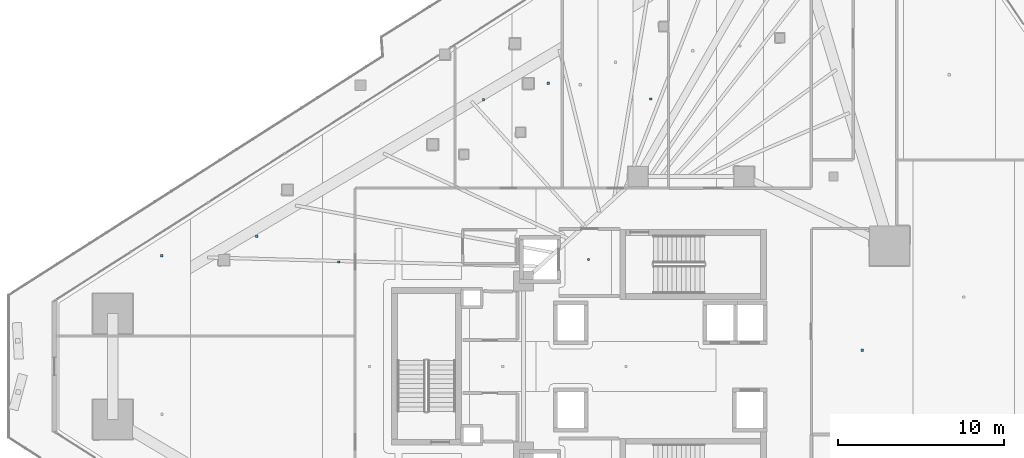
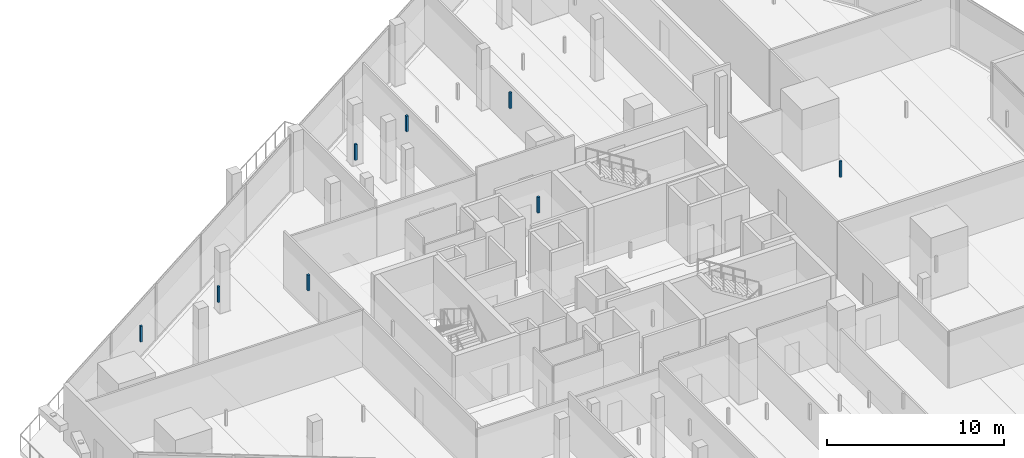
# One storey, part 34 of 45: 8 discrete accessories.
"""IFC4 building model written with IfcOpenShell, lengths in metres."""

from ifc_helpers import new_model, si_unit, direction, frame, origin, origin_2d, place, context, subcontext, project, spatial, rectangle, extrude, material, type_object, element, save


model = new_model("IFC4")

# Units and contexts
model_context = context("Model", 3, precision=1e-05, world=origin(), true_north=direction((0.0, 1.0)))
body_context = subcontext(model_context, "Body", "Model", "MODEL_VIEW")
ifc_project = project(units=[si_unit("LENGTHUNIT", "METRE"), si_unit("AREAUNIT", "SQUARE_METRE"), si_unit("VOLUMEUNIT", "CUBIC_METRE"), si_unit("PLANEANGLEUNIT", "RADIAN"), si_unit("MASSUNIT", "GRAM", prefix="KILO")], contexts=[model_context])

# Site, building, storey
site_placement = place(None, origin())
site = spatial("IfcSite", under=ifc_project, at=site_placement, CompositionType="ELEMENT")
building_placement = place(site_placement, origin())
building = spatial("IfcBuilding", under=site, at=building_placement, Name="Qorvath Tower", CompositionType="ELEMENT")
storey_placement = place(building_placement, frame((0.0, 0.0, 91.199951171875)))
storey = spatial("IfcBuildingStorey", under=building, at=storey_placement, Name="L20", CompositionType="ELEMENT", Elevation=91.199951171875)

# Discrete accessories
ifc_material = material(Name="Galvanised steel bracket", Category="steel")
discrete_accessory_type = type_object("IfcDiscreteAccessoryType", Name="DA-BRACKET", PredefinedType="BRACKET", material=ifc_material)
for number, where, z_axis, x_axis, name in (
    (1, (-26.590087890625, 6.449951171875, 2.85986328125), (0.0, 0.0, 1.0), (1.0, 0.0, 0.0), "Acoustic Ceiling Suspension Hanger T1-L20-001"),
    (2, (-32.917724609375, 16.0927734375, 2.85986328125), (0.0, 0.0, 1.0), (1.0, 0.0, 0.0), "Acoustic Ceiling Suspension Hanger T1-L20-010"),
    (3, (-29.0166015625, 17.080810546875, 2.85986328125), (0.0, 0.0, 1.0), (1.0, 0.0, 0.0), "Acoustic Ceiling Suspension Hanger T1-L20-011"),
    (4, (-22.82177734375, 16.131103515625, 2.85986328125), (0.0, 0.0, 1.0), (1.0, 0.0, 0.0), "Acoustic Ceiling Suspension Hanger T1-L20-014"),
    (5, (-10.072509765625, 0.971923828125, 2.85986328125), (0.0, 0.0, 1.0), (1.0, 0.0, 0.0), "Acoustic Ceiling Suspension Hanger T1-L20-032"),
    (6, (-52.327392578125, 6.670654296875, 2.85986328125), (0.0, 0.0, 1.0), (1.0, 0.0, 0.0), "Acoustic Ceiling Suspension Hanger T1-L20-041"),
    (7, (-46.6005859375, 7.848388671875, 2.85986328125), (0.0, 0.0, 1.0), (1.0, 0.0, 0.0), "Acoustic Ceiling Suspension Hanger T1-L20-042"),
    (8, (-41.641845703125, 6.302490234375, 2.85986328125), (0.0, 0.0, 1.0), (1.0, 0.0, 0.0), "Acoustic Ceiling Suspension Hanger T1-L20-043"),
):
    element("IfcDiscreteAccessory", number, at=place(storey_placement, frame(where, z_axis=z_axis, x_axis=x_axis)), inside=storey, type_object=discrete_accessory_type, Name=name, PredefinedType="NOTDEFINED", context=body_context, shape_type="SweptSolid", body=[
        extrude(rectangle(XDim=0.139892578125, YDim=0.139892578125, at=origin_2d()), origin(), (0.0, 0.0, 1.0), 1.090087890625),
    ])

save(model, "model.ifc")
